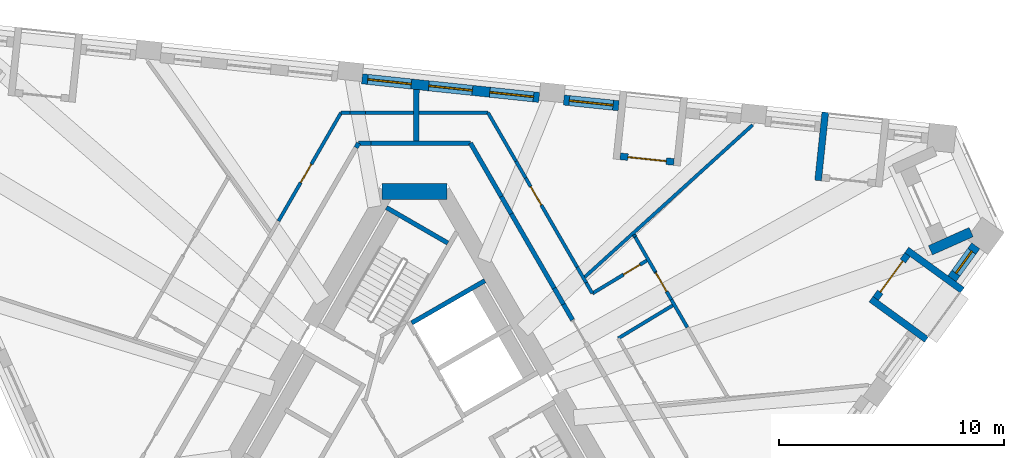
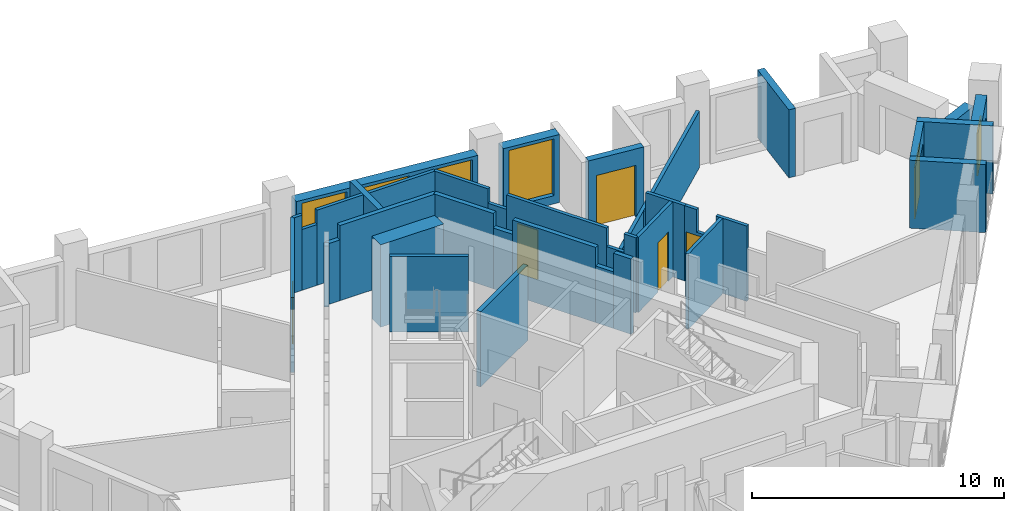
# One storey, part 7 of 11: 37 walls, 6 doors, 5 windows, 11 openings.
"""IFC4 building model written with IfcOpenShell, lengths in metres."""

from ifc_helpers import new_model, si_unit, direction, frame, frame_2d, origin, place, context, subcontext, project, spatial, polyline, rectangle, outline, extrude, material, layer, layer_set, type_object, element, fill, save


model = new_model("IFC4")

# Units and contexts
model_context = context("Model", 3, precision=1e-05, world=origin(), true_north=direction((0.0, 1.0)))
body_context = subcontext(model_context, "Body", "Model", "MODEL_VIEW")
ifc_project = project(units=[si_unit("LENGTHUNIT", "METRE"), si_unit("AREAUNIT", "SQUARE_METRE"), si_unit("VOLUMEUNIT", "CUBIC_METRE"), si_unit("PLANEANGLEUNIT", "RADIAN"), si_unit("MASSUNIT", "GRAM", prefix="KILO")], contexts=[model_context])

# Site, building, storey
site_placement = place(None, origin())
site = spatial("IfcSite", under=ifc_project, at=site_placement, CompositionType="ELEMENT")
building_placement = place(site_placement, origin())
building = spatial("IfcBuilding", under=site, at=building_placement, Name="Tramontana Tower", CompositionType="ELEMENT")
storey_placement = place(building_placement, frame((0.0, 0.0, 241.199951171875)))
storey = spatial("IfcBuildingStorey", under=building, at=storey_placement, Name="L56", CompositionType="ELEMENT", Elevation=241.199951171875)

# Walls
ifc_material_1 = material(Name="Concrete 70 MPa", Category="concrete")
ifc_layer_1 = layer(ifc_material_1, 0.699951171875)
ifc_layer_set_1 = layer_set([ifc_layer_1], Name="Core wall 700 70 MPa")
wall_type_1 = type_object("IfcWallType", Name="Core wall 700 70 MPa", PredefinedType="SHEAR", material=ifc_layer_set_1)
wall_1_placement = place(storey_placement, frame((1.443359375, 10.64990234375, 0.0), z_axis=(0.0, 0.0, 1.0), x_axis=(-1.0, 0.0, 0.0)))
element("IfcWall", 1, at=wall_1_placement, inside=storey, type_object=wall_type_1, Name="Core wall C0 L56", PredefinedType="SHEAR", context=body_context, shape_type="SweptSolid", body=[
    extrude(rectangle(XDim=2.88671875, YDim=0.699951171875, at=frame_2d((1.443359375, 0.0))), origin(), (0.0, 0.0, 1.0), 4.0),
])
ifc_material_2 = material(Name="Blockwork", Category="masonry")
ifc_layer_2 = layer(ifc_material_2, 0.199951171875)
ifc_layer_set_2 = layer_set([ifc_layer_2], Name="ENTRY WALL 200")
wall_type_2 = type_object("IfcWallType", Name="ENTRY WALL 200", PredefinedType="SOLIDWALL", material=ifc_layer_set_2)
wall_2_placement = place(storey_placement, frame((-2.599853515625, 12.596923828125, 0.0), z_axis=(0.0, 0.0, 1.0), x_axis=(0.49972245349, 0.866185586049, 0.0)))
element("IfcWall", 2, at=wall_2_placement, inside=storey, type_object=wall_type_2, Name="Wall v60-ew3-11", PredefinedType="SOLIDWALL", context=body_context, shape_type="SweptSolid", body=[
    extrude(rectangle(XDim=0.234619140625, YDim=0.199951171875, at=frame_2d((0.1171875, 0.0))), origin(), (0.0, 0.0, 1.0), 2.949951171875),
])
wall_3_placement = place(storey_placement, frame((-2.482666015625, 12.800048828125, 0.0), z_axis=(0.0, 0.0, 1.0), x_axis=(1.0, 0.0, 0.0)))
element("IfcWall", 3, at=wall_3_placement, inside=storey, type_object=wall_type_2, Name="Wall v60-ew4-0", PredefinedType="SOLIDWALL", context=body_context, shape_type="SweptSolid", body=[
    extrude(rectangle(XDim=0.5576171875, YDim=0.199951171875, at=frame_2d((0.27880859375, 0.0))), origin(), (0.0, 0.0, 1.0), 2.949951171875),
])
wall_4_placement = place(storey_placement, frame((-1.925048828125, 12.800048828125, 0.0), z_axis=(0.0, 0.0, 1.0), x_axis=(1.0, 0.0, 0.0)))
element("IfcWall", 4, at=wall_4_placement, inside=storey, type_object=wall_type_2, Name="Wall v60-ew4-1", PredefinedType="SOLIDWALL", context=body_context, shape_type="SweptSolid", body=[
    extrude(rectangle(XDim=4.40771484375, YDim=0.199951171875, at=frame_2d((2.203857421875, 0.0))), origin(), (0.0, 0.0, 1.0), 3.650146484375),
])
wall_5_placement = place(storey_placement, frame((2.482666015625, 12.800048828125, 0.0), z_axis=(0.0, 0.0, 1.0), x_axis=(0.499956000529, -0.8660508054, 0.0)))
element("IfcWall", 5, at=wall_5_placement, inside=storey, type_object=wall_type_2, Name="Wall v60-ew5-0", PredefinedType="SOLIDWALL", context=body_context, shape_type="SweptSolid", body=[
    extrude(rectangle(XDim=2.744873046875, YDim=0.199951171875, at=frame_2d((1.37255859375, 0.0))), origin(), (0.0, 0.0, 1.0), 3.650146484375),
])
wall_6_placement = place(storey_placement, frame((3.85498046875, 10.4228515625, 0.0), z_axis=(0.0, 0.0, 1.0), x_axis=(0.500135429527, -0.86594719939, 0.0)))
element("IfcWall", 6, at=wall_6_placement, inside=storey, type_object=wall_type_2, Name="Wall v60-ew5-1", PredefinedType="SOLIDWALL", context=body_context, shape_type="SweptSolid", body=[
    extrude(rectangle(XDim=0.886962890625, YDim=0.199951171875, at=frame_2d((0.443359375, 0.0))), origin(), (0.0, 0.0, 1.0), 2.949951171875),
])
wall_7_placement = place(storey_placement, frame((4.298583984375, 9.65478515625, 0.0), z_axis=(0.0, 0.0, 1.0), x_axis=(0.499997905474, -0.866026613056, 0.0)))
element("IfcWall", 7, at=wall_7_placement, inside=storey, type_object=wall_type_2, Name="Wall v60-ew5-2", PredefinedType="SOLIDWALL", context=body_context, shape_type="SweptSolid", body=[
    extrude(rectangle(XDim=3.810546875, YDim=0.199951171875, at=frame_2d((1.9052734375, 0.0))), origin(), (0.0, 0.0, 1.0), 3.650146484375),
])
wall_8_placement = place(storey_placement, frame((6.203857421875, 6.354736328125, 0.0), z_axis=(0.0, 0.0, 1.0), x_axis=(0.499911126926, -0.866076708598, 0.0)))
element("IfcWall", 8, at=wall_8_placement, inside=storey, type_object=wall_type_2, Name="Wall v60-ew5-3", PredefinedType="SOLIDWALL", context=body_context, shape_type="SweptSolid", body=[
    extrude(rectangle(XDim=0.821533203125, YDim=0.199951171875, at=frame_2d((0.41064453125, 0.0))), origin(), (0.0, 0.0, 1.0), 2.75),
])
wall_9_placement = place(storey_placement, frame((6.614501953125, 5.643310546875, 0.0), z_axis=(0.0, 0.0, 1.0), x_axis=(0.499984757355, -0.866034203951, 0.0)))
element("IfcWall", 9, at=wall_9_placement, inside=storey, type_object=wall_type_2, Name="Wall v60-ew5-4", PredefinedType="SOLIDWALL", context=body_context, shape_type="SweptSolid", body=[
    extrude(rectangle(XDim=0.8056640625, YDim=0.199951171875, at=frame_2d((0.40283203125, 0.0))), origin(), (0.0, 0.0, 1.0), 3.650146484375),
])

# Wall, opening, window
ifc_material_3 = material(Name="Precast concrete 60 MPa", Category="concrete")
ifc_layer_3 = layer(ifc_material_3, 0.449951171875)
ifc_layer_set_3 = layer_set([ifc_layer_3], Name="Precast concrete 60 MPa, 450 mm")
wall_type_3 = type_object("IfcWallType", Name="EW1 Stone-faced precast wall 450", PredefinedType="SOLIDWALL", material=ifc_layer_set_3)
wall_10_placement = place(storey_placement, frame((23.868408203125, 6.77978515625, 0.0), z_axis=(0.0, 0.0, 1.0), x_axis=(0.587793056764, 0.809011324037, 0.0)))
wall_10 = element("IfcWall", 10, at=wall_10_placement, inside=storey, type_object=wall_type_3, Name="External wall L56 face 1 bay 5", PredefinedType="SOLIDWALL", context=body_context, shape_type="SweptSolid", body=[
    extrude(rectangle(XDim=1.80224609375, YDim=0.449951171875, at=frame_2d((0.901123046875, 0.0))), origin(), (0.0, 0.0, 1.0), 3.300048828125),
])
opening_1_placement = place(wall_10_placement, frame((0.301025390625, 0.0, 0.39990234375)))
opening_1 = element("IfcOpeningElement", 11, at=opening_1_placement, cuts=wall_10, Name="Opening N3L", PredefinedType="OPENING", context=body_context, shape_type="SweptSolid", body=[
    extrude(rectangle(XDim=1.199951171875, YDim=2.10009765625, at=frame_2d((0.60009765625, 1.050048828125))), frame((0.0, 0.23486328125, 0.0), z_axis=(0.0, -1.0, 0.0), x_axis=(1.0, 0.0, 0.0)), (0.0, 0.0, 1.0), 0.469970703125),
])
ifc_material_4 = material(Name="Aluminum frame, double glazing unit", Category="aluminium")
window_type_1 = type_object("IfcWindowType", Name="N3L Window 1.2 x 2.1", PartitioningType="SINGLE_PANEL", PredefinedType="WINDOW", material=ifc_material_4)
window_1_placement = place(opening_1_placement, origin())
window_1 = element("IfcWindow", 12, at=window_1_placement, inside=storey, type_object=window_type_1, Name="Window N3L L56 face 1 module 15", OverallHeight=2.10009765625, OverallWidth=1.199951171875, PartitioningType="SINGLE_PANEL", PredefinedType="WINDOW", context=body_context, shape_type="SweptSolid", body=[
    extrude(rectangle(XDim=1.199951171875, YDim=2.10009765625, at=frame_2d((0.60009765625, 1.050048828125))), frame((0.0, 0.030029296875, 0.0), z_axis=(0.0, -1.0, 0.0), x_axis=(1.0, 0.0, 0.0)), (0.0, 0.0, 1.0), 0.06005859375),
])
fill(opening_1, window_1)

wall_11_placement = place(storey_placement, frame((9.06640625, 14.45654296875, 0.0), z_axis=(0.0, 0.0, 1.0), x_axis=(-0.994521805438, 0.10452931889, 0.0)))
wall_11 = element("IfcWall", 13, at=wall_11_placement, inside=storey, type_object=wall_type_3, Name="External wall L56 face 2 bay 2", PredefinedType="SOLIDWALL", context=body_context, shape_type="SweptSolid", body=[
    extrude(rectangle(XDim=2.452392578125, YDim=0.449951171875, at=frame_2d((1.22607421875, 0.0))), origin(), (0.0, 0.0, 1.0), 3.300048828125),
])
opening_2_placement = place(wall_11_placement, frame((0.251220703125, 0.0, 0.39990234375)))
opening_2 = element("IfcOpeningElement", 14, at=opening_2_placement, cuts=wall_11, Name="Opening M3", PredefinedType="OPENING", context=body_context, shape_type="SweptSolid", body=[
    extrude(rectangle(XDim=1.949951171875, YDim=2.75, at=frame_2d((0.97509765625, 1.375))), frame((0.0, 0.23486328125, 0.0), z_axis=(0.0, -1.0, 0.0), x_axis=(1.0, 0.0, 0.0)), (0.0, 0.0, 1.0), 0.469970703125),
])
ifc_material_5 = material(Name="Aluminum frame, double glazing unit", Category="aluminium")
window_type_2 = type_object("IfcWindowType", Name="M3 Window 1.95 x 2.75", PartitioningType="SINGLE_PANEL", PredefinedType="WINDOW", material=ifc_material_5)
window_2_placement = place(opening_2_placement, origin())
window_2 = element("IfcWindow", 15, at=window_2_placement, inside=storey, type_object=window_type_2, Name="Window M3 L56 face 2 module 6", OverallHeight=2.75, OverallWidth=1.949951171875, PartitioningType="SINGLE_PANEL", PredefinedType="WINDOW", context=body_context, shape_type="SweptSolid", body=[
    extrude(rectangle(XDim=1.949951171875, YDim=2.75, at=frame_2d((0.97509765625, 1.375))), frame((0.0, 0.030029296875, 0.0), z_axis=(0.0, -1.0, 0.0), x_axis=(1.0, 0.0, 0.0)), (0.0, 0.0, 1.0), 0.06005859375),
])
fill(opening_2, window_2)

# Wall, openings, windows
wall_12_placement = place(storey_placement, frame((5.53369140625, 14.827880859375, 0.0), z_axis=(0.0, 0.0, 1.0), x_axis=(-0.994522865711, 0.104519230663, 0.0)))
wall_12 = element("IfcWall", 16, at=wall_12_placement, inside=storey, type_object=wall_type_3, Name="External wall L56 face 2 bay 3", PredefinedType="SOLIDWALL", context=body_context, shape_type="SweptSolid", body=[
    extrude(rectangle(XDim=7.90673828125, YDim=0.449951171875, at=frame_2d((3.953369140625, 0.0))), origin(), (0.0, 0.0, 1.0), 3.300048828125),
])
opening_3_placement = place(wall_12_placement, frame((0.251220703125, 0.0, 0.39990234375)))
opening_3 = element("IfcOpeningElement", 17, at=opening_3_placement, cuts=wall_12, Name="Opening M3", PredefinedType="OPENING", context=body_context, shape_type="SweptSolid", body=[
    extrude(rectangle(XDim=1.949951171875, YDim=2.75, at=frame_2d((0.97509765625, 1.375))), frame((0.0, 0.23486328125, 0.0), z_axis=(0.0, -1.0, 0.0), x_axis=(1.0, 0.0, 0.0)), (0.0, 0.0, 1.0), 0.469970703125),
])
opening_4_placement = place(wall_12_placement, frame((2.978271484375, 0.0, 0.39990234375)))
opening_4 = element("IfcOpeningElement", 18, at=opening_4_placement, cuts=wall_12, Name="Opening M3", PredefinedType="OPENING", context=body_context, shape_type="SweptSolid", body=[
    extrude(rectangle(XDim=1.949951171875, YDim=2.75, at=frame_2d((0.97509765625, 1.375))), frame((0.0, 0.23486328125, 0.0), z_axis=(0.0, -1.0, 0.0), x_axis=(1.0, 0.0, 0.0)), (0.0, 0.0, 1.0), 0.469970703125),
])
opening_5_placement = place(wall_12_placement, frame((5.70556640625, 0.0, 0.39990234375)))
opening_5 = element("IfcOpeningElement", 19, at=opening_5_placement, cuts=wall_12, Name="Opening M3", PredefinedType="OPENING", context=body_context, shape_type="SweptSolid", body=[
    extrude(rectangle(XDim=1.949951171875, YDim=2.75, at=frame_2d((0.97509765625, 1.375))), frame((0.0, 0.23486328125, 0.0), z_axis=(0.0, -1.0, 0.0), x_axis=(1.0, 0.0, 0.0)), (0.0, 0.0, 1.0), 0.469970703125),
])
window_3_placement = place(opening_3_placement, origin())
window_3 = element("IfcWindow", 20, at=window_3_placement, inside=storey, type_object=window_type_2, Name="Window M3 L56 face 2 module 7", OverallHeight=2.75, OverallWidth=1.949951171875, PartitioningType="SINGLE_PANEL", PredefinedType="WINDOW", context=body_context, shape_type="SweptSolid", body=[
    extrude(rectangle(XDim=1.949951171875, YDim=2.75, at=frame_2d((0.97509765625, 1.375))), frame((0.0, 0.030029296875, 0.0), z_axis=(0.0, -1.0, 0.0), x_axis=(1.0, 0.0, 0.0)), (0.0, 0.0, 1.0), 0.06005859375),
])
fill(opening_3, window_3)
window_4_placement = place(opening_4_placement, origin())
window_4 = element("IfcWindow", 21, at=window_4_placement, inside=storey, type_object=window_type_2, Name="Window M3 L56 face 2 module 8", OverallHeight=2.75, OverallWidth=1.949951171875, PartitioningType="SINGLE_PANEL", PredefinedType="WINDOW", context=body_context, shape_type="SweptSolid", body=[
    extrude(rectangle(XDim=1.949951171875, YDim=2.75, at=frame_2d((0.97509765625, 1.375))), frame((0.0, 0.030029296875, 0.0), z_axis=(0.0, -1.0, 0.0), x_axis=(1.0, 0.0, 0.0)), (0.0, 0.0, 1.0), 0.06005859375),
])
fill(opening_4, window_4)
window_5_placement = place(opening_5_placement, origin())
window_5 = element("IfcWindow", 22, at=window_5_placement, inside=storey, type_object=window_type_2, Name="Window M3 L56 face 2 module 9", OverallHeight=2.75, OverallWidth=1.949951171875, PartitioningType="SINGLE_PANEL", PredefinedType="WINDOW", context=body_context, shape_type="SweptSolid", body=[
    extrude(rectangle(XDim=1.949951171875, YDim=2.75, at=frame_2d((0.97509765625, 1.375))), frame((0.0, 0.030029296875, 0.0), z_axis=(0.0, -1.0, 0.0), x_axis=(1.0, 0.0, 0.0)), (0.0, 0.0, 1.0), 0.06005859375),
])
fill(opening_5, window_5)

# Wall
wall_13_placement = place(storey_placement, frame((24.71923828125, 8.84375, 0.0), z_axis=(0.0, 0.0, 1.0), x_axis=(-0.913562124494, -0.406699206651, 0.0)))
element("IfcWall", 23, at=wall_13_placement, inside=storey, type_object=wall_type_3, Name="Corner loggia side wall L56 K62r", PredefinedType="SOLIDWALL", context=body_context, shape_type="SweptSolid", body=[
    extrude(rectangle(XDim=1.979248046875, YDim=0.449951171875, at=frame_2d((0.98974609375, 0.0))), origin(), (0.0, 0.0, 1.0), 2.550048828125),
])

# Wall, opening, door
ifc_material_6 = material(Name="Precast concrete 60 MPa", Category="concrete")
ifc_layer_4 = layer(ifc_material_6, 0.300048828125)
ifc_layer_set_4 = layer_set([ifc_layer_4], Name="LW1 Stone-faced loggia wall 300")
wall_type_4 = type_object("IfcWallType", Name="LW1 Stone-faced loggia wall 300", PredefinedType="SOLIDWALL", material=ifc_layer_set_4)
wall_14_placement = place(storey_placement, frame((20.47998046875, 5.9013671875, 0.0), z_axis=(0.0, 0.0, 1.0), x_axis=(0.587833242688, 0.808982125137, 0.0)))
wall_14 = element("IfcWall", 24, at=wall_14_placement, inside=storey, type_object=wall_type_4, Name="Loggia wall L56 G6S1.13", PredefinedType="SOLIDWALL", context=body_context, shape_type="SweptSolid", body=[
    extrude(rectangle(XDim=2.40234375, YDim=0.300048828125, at=frame_2d((1.201171875, 0.0))), origin(), (0.0, 0.0, 1.0), 3.300048828125),
])
opening_6_placement = place(wall_14_placement, frame((0.35107421875, 0.0, 0.0)))
opening_6 = element("IfcOpeningElement", 25, at=opening_6_placement, cuts=wall_14, Name="Opening BD-6S1-13", PredefinedType="OPENING", context=body_context, shape_type="SweptSolid", body=[
    extrude(rectangle(XDim=1.699951171875, YDim=2.5, at=frame_2d((0.85009765625, 1.25))), frame((0.0, 0.159912109375, 0.0), z_axis=(0.0, -1.0, 0.0), x_axis=(1.0, 0.0, 0.0)), (0.0, 0.0, 1.0), 0.320068359375),
])
ifc_material_7 = material(Name="Aluminum frame, double glazing unit", Category="aluminium")
door_type_1 = type_object("IfcDoorType", Name="BD3 Sliding door 1.7 x 2.5", OperationType="SLIDING_TO_LEFT", PredefinedType="DOOR", material=ifc_material_7)
door_1_placement = place(opening_6_placement, origin())
door_1 = element("IfcDoor", 26, at=door_1_placement, inside=storey, type_object=door_type_1, Name="Loggia door L56 G6S1.13", OperationType="SLIDING_TO_LEFT", OverallHeight=2.5, OverallWidth=1.699951171875, PredefinedType="DOOR", context=body_context, shape_type="SweptSolid", body=[
    extrude(rectangle(XDim=1.699951171875, YDim=2.5, at=frame_2d((0.85009765625, 1.25))), frame((0.0, 0.02490234375, 0.0), z_axis=(0.0, -1.0, 0.0), x_axis=(1.0, 0.0, 0.0)), (0.0, 0.0, 1.0), 0.050048828125),
])
fill(opening_6, door_1)

# Walls
for number, where, z_axis, x_axis, name in (
    (27, (22.738037109375, 4.075439453125, 0.0), (0.0, 0.0, 1.0), (-0.80902328748, 0.587776590479, 0.0), "Loggia return L56 G6S1.13a"),
    (28, (24.326416015625, 6.261474609375, 0.0), (0.0, 0.0, 1.0), (-0.808985223782, 0.587828978278, 0.0), "Loggia return L56 G6S1.13b"),
):
    element("IfcWall", number, at=place(storey_placement, frame(where, z_axis=z_axis, x_axis=x_axis)), inside=storey, type_object=wall_type_4, Name=name, PredefinedType="SOLIDWALL", context=body_context, shape_type="SweptSolid", body=[
        extrude(rectangle(XDim=3.050048828125, YDim=0.300048828125, at=frame_2d((1.52490234375, 0.0))), origin(), (0.0, 0.0, 1.0), 3.300048828125),
    ])
wall_15_placement = place(storey_placement, frame((18.243408203125, 14.170654296875, 0.0), z_axis=(0.0, 0.0, 1.0), x_axis=(-0.104543108891, -0.994520355942, 0.0)))
element("IfcWall", 29, at=wall_15_placement, inside=storey, type_object=wall_type_4, Name="Loggia return L56 G6S2.1b", PredefinedType="SOLIDWALL", context=body_context, shape_type="SweptSolid", body=[
    extrude(rectangle(XDim=3.0498046875, YDim=0.300048828125, at=frame_2d((1.52490234375, 0.0))), origin(), (0.0, 0.0, 1.0), 3.300048828125),
])

# Wall, opening, door
wall_16_placement = place(storey_placement, frame((11.521240234375, 11.961181640625, 0.0), z_axis=(0.0, 0.0, 1.0), x_axis=(-0.994517140727, 0.104573690763, 0.0)))
wall_16 = element("IfcWall", 30, at=wall_16_placement, inside=storey, type_object=wall_type_4, Name="Loggia wall L56 G6S2.4", PredefinedType="SOLIDWALL", context=body_context, shape_type="SweptSolid", body=[
    extrude(rectangle(XDim=2.40234375, YDim=0.300048828125, at=frame_2d((1.201171875, 0.0))), origin(), (0.0, 0.0, 1.0), 3.300048828125),
])
opening_7_placement = place(wall_16_placement, frame((0.35107421875, 0.0, 0.0)))
opening_7 = element("IfcOpeningElement", 31, at=opening_7_placement, cuts=wall_16, Name="Opening BD-6S2-04", PredefinedType="OPENING", context=body_context, shape_type="SweptSolid", body=[
    extrude(rectangle(XDim=1.699951171875, YDim=2.5, at=frame_2d((0.85009765625, 1.25))), frame((0.0, 0.159912109375, 0.0), z_axis=(0.0, -1.0, 0.0), x_axis=(1.0, 0.0, 0.0)), (0.0, 0.0, 1.0), 0.320068359375),
])
door_2_placement = place(opening_7_placement, origin())
door_2 = element("IfcDoor", 32, at=door_2_placement, inside=storey, type_object=door_type_1, Name="Loggia door L56 G6S2.4", OperationType="SLIDING_TO_LEFT", OverallHeight=2.5, OverallWidth=1.699951171875, PredefinedType="DOOR", context=body_context, shape_type="SweptSolid", body=[
    extrude(rectangle(XDim=1.699951171875, YDim=2.5, at=frame_2d((0.85009765625, 1.25))), frame((0.0, 0.02490234375, 0.0), z_axis=(0.0, -1.0, 0.0), x_axis=(1.0, 0.0, 0.0)), (0.0, 0.0, 1.0), 0.050048828125),
])
fill(opening_7, door_2)

ifc_material_8 = material(Name="Gypsum board partition")
ifc_layer_5 = layer(ifc_material_8, 0.14990234375)
ifc_layer_set_5 = layer_set([ifc_layer_5], Name="PARTITION 150")
wall_type_5 = type_object("IfcWallType", Name="PARTITION 150", PredefinedType="PARTITIONING", material=ifc_layer_set_5)
wall_17_placement = place(storey_placement, frame((-6.040283203125, 9.337890625, 0.0), z_axis=(0.0, 0.0, 1.0), x_axis=(0.500014044516, 0.866017295027, 0.0)))
wall_17 = element("IfcWall", 33, at=wall_17_placement, inside=storey, type_object=wall_type_5, Name="Wall v60-pw00-10", PredefinedType="PARTITIONING", context=body_context, shape_type="SweptSolid", body=[
    extrude(rectangle(XDim=5.556396484375, YDim=0.14990234375, at=frame_2d((2.7783203125, 0.0))), origin(), (0.0, 0.0, 1.0), 3.650146484375),
])
opening_8_placement = place(wall_17_placement, frame((1.970947265625, 0.0, 0.0)))
opening_8 = element("IfcOpeningElement", 34, at=opening_8_placement, cuts=wall_17, Name="Opening B6A-02", PredefinedType="OPENING", context=body_context, shape_type="SweptSolid", body=[
    extrude(rectangle(XDim=0.949951171875, YDim=2.39990234375, at=frame_2d((0.47509765625, 1.199951171875))), frame((0.0, 0.0849609375, 0.0), z_axis=(0.0, -1.0, 0.0), x_axis=(1.0, 0.0, 0.0)), (0.0, 0.0, 1.0), 0.169921875),
])
ifc_material_9 = material(Name="Painted timber", Category="wood")
door_type_2 = type_object("IfcDoorType", Name="DOOR ROOM 950", OperationType="SINGLE_SWING_LEFT", PredefinedType="DOOR", material=ifc_material_9)
door_3_placement = place(opening_8_placement, origin())
door_3 = element("IfcDoor", 35, at=door_3_placement, inside=storey, type_object=door_type_2, Name="Door B6A-02", OperationType="SINGLE_SWING_RIGHT", OverallHeight=2.39990234375, OverallWidth=0.949951171875, PredefinedType="DOOR", context=body_context, shape_type="SweptSolid", body=[
    extrude(rectangle(XDim=0.949951171875, YDim=2.39990234375, at=frame_2d((0.47509765625, 1.199951171875))), frame((0.0, 0.02490234375, 0.0), z_axis=(0.0, -1.0, 0.0), x_axis=(1.0, 0.0, 0.0)), (0.0, 0.0, 1.0), 0.050048828125),
])
fill(opening_8, door_3)

# Walls
wall_18_placement = place(storey_placement, frame((-3.261962890625, 14.14990234375, 0.0), z_axis=(0.0, 0.0, 1.0), x_axis=(1.0, 0.0, 0.0)))
element("IfcWall", 36, at=wall_18_placement, inside=storey, type_object=wall_type_5, Name="Wall v60-pw08-0", PredefinedType="PARTITIONING", context=body_context, shape_type="SweptSolid", body=[
    extrude(rectangle(XDim=0.398193359375, YDim=0.14990234375, at=frame_2d((0.19921875, 0.0))), origin(), (0.0, 0.0, 1.0), 3.650146484375),
])
wall_19_placement = place(storey_placement, frame((-2.86376953125, 14.14990234375, 0.0), z_axis=(0.0, 0.0, 1.0), x_axis=(1.0, 0.0, 0.0)))
element("IfcWall", 37, at=wall_19_placement, inside=storey, type_object=wall_type_5, Name="Wall v60-pw08-1", PredefinedType="PARTITIONING", context=body_context, shape_type="SweptSolid", body=[
    extrude(rectangle(XDim=0.685546875, YDim=0.14990234375, at=frame_2d((0.3427734375, 0.0))), origin(), (0.0, 0.0, 1.0), 2.949951171875),
])
wall_20_placement = place(storey_placement, frame((-2.17822265625, 14.14990234375, 0.0), z_axis=(0.0, 0.0, 1.0), x_axis=(1.0, 0.0, 0.0)))
element("IfcWall", 38, at=wall_20_placement, inside=storey, type_object=wall_type_5, Name="Wall v60-pw08-2", PredefinedType="PARTITIONING", context=body_context, shape_type="SweptSolid", body=[
    extrude(rectangle(XDim=5.440185546875, YDim=0.14990234375, at=frame_2d((2.72021484375, 0.0))), origin(), (0.0, 0.0, 1.0), 3.650146484375),
])
wall_21_placement = place(storey_placement, frame((3.261962890625, 14.14990234375, 0.0), z_axis=(0.0, 0.0, 1.0), x_axis=(0.500042260233, -0.866001003452, 0.0)))
element("IfcWall", 39, at=wall_21_placement, inside=storey, type_object=wall_type_5, Name="Wall v60-pw15-0", PredefinedType="PARTITIONING", context=body_context, shape_type="SweptSolid", body=[
    extrude(rectangle(XDim=2.489013671875, YDim=0.14990234375, at=frame_2d((1.24462890625, 0.0))), origin(), (0.0, 0.0, 1.0), 3.650146484375),
])
wall_22_placement = place(storey_placement, frame((4.506591796875, 11.994384765625, 0.0), z_axis=(0.0, 0.0, 1.0), x_axis=(0.499944768143, -0.866057289563, 0.0)))
element("IfcWall", 40, at=wall_22_placement, inside=storey, type_object=wall_type_5, Name="Wall v60-pw15-1", PredefinedType="PARTITIONING", context=body_context, shape_type="SweptSolid", body=[
    extrude(rectangle(XDim=0.85546875, YDim=0.14990234375, at=frame_2d((0.427734375, 0.0))), origin(), (0.0, 0.0, 1.0), 2.949951171875),
])

# Wall, opening, door
wall_23_placement = place(storey_placement, frame((4.934326171875, 11.25341796875, 0.0), z_axis=(0.0, 0.0, 1.0), x_axis=(0.500001111708, -0.866024761939, 0.0)))
wall_23 = element("IfcWall", 41, at=wall_23_placement, inside=storey, type_object=wall_type_5, Name="Wall v60-pw15-2", PredefinedType="PARTITIONING", context=body_context, shape_type="SweptSolid", body=[
    extrude(rectangle(XDim=4.57568359375, YDim=0.14990234375, at=frame_2d((2.287841796875, 0.0))), origin(), (0.0, 0.0, 1.0), 3.650146484375),
])
opening_9_placement = place(wall_23_placement, frame((0.445068359375, 0.0, 0.0)))
opening_9 = element("IfcOpeningElement", 42, at=opening_9_placement, cuts=wall_23, Name="Opening B6A-14", PredefinedType="OPENING", context=body_context, shape_type="SweptSolid", body=[
    extrude(rectangle(XDim=0.949951171875, YDim=2.39990234375, at=frame_2d((0.47509765625, 1.199951171875))), frame((0.0, 0.0849609375, 0.0), z_axis=(0.0, -1.0, 0.0), x_axis=(1.0, 0.0, 0.0)), (0.0, 0.0, 1.0), 0.169921875),
])
door_4_placement = place(opening_9_placement, origin())
door_4 = element("IfcDoor", 43, at=door_4_placement, inside=storey, type_object=door_type_2, Name="Door B6A-14", OperationType="SINGLE_SWING_RIGHT", OverallHeight=2.39990234375, OverallWidth=0.949951171875, PredefinedType="DOOR", context=body_context, shape_type="SweptSolid", body=[
    extrude(rectangle(XDim=0.949951171875, YDim=2.39990234375, at=frame_2d((0.47509765625, 1.199951171875))), frame((0.0, 0.02490234375, 0.0), z_axis=(0.0, -1.0, 0.0), x_axis=(1.0, 0.0, 0.0)), (0.0, 0.0, 1.0), 0.050048828125),
])
fill(opening_9, door_4)

# Walls
wall_24_placement = place(storey_placement, frame((7.22216796875, 7.290771484375, 0.0), z_axis=(0.0, 0.0, 1.0), x_axis=(0.500032254052, -0.866006781098, 0.0)))
element("IfcWall", 44, at=wall_24_placement, inside=storey, type_object=wall_type_5, Name="Wall v60-pw15-3", PredefinedType="PARTITIONING", context=body_context, shape_type="SweptSolid", body=[
    extrude(rectangle(XDim=0.7958984375, YDim=0.14990234375, at=frame_2d((0.39794921875, 0.0))), origin(), (0.0, 0.0, 1.0), 2.75),
])
wall_25_placement = place(storey_placement, frame((7.6201171875, 6.6015625, 0.0), z_axis=(0.0, 0.0, 1.0), x_axis=(0.500093091412, -0.865971650761, 0.0)))
element("IfcWall", 45, at=wall_25_placement, inside=storey, type_object=wall_type_5, Name="Wall v60-pw15-4", PredefinedType="PARTITIONING", context=body_context, shape_type="SweptSolid", body=[
    extrude(rectangle(XDim=0.55126953125, YDim=0.14990234375, at=frame_2d((0.275634765625, 0.0))), origin(), (0.0, 0.0, 1.0), 3.650146484375),
])
wall_26_placement = place(storey_placement, frame((7.56201171875, 6.852294921875, 0.0), z_axis=(0.0, 0.0, 1.0), x_axis=(0.741038665238, 0.671462356817, 0.0)))
element("IfcWall", 46, at=wall_26_placement, inside=storey, type_object=wall_type_5, Name="Wall v60-pw16-0", PredefinedType="PARTITIONING", context=body_context, shape_type="SweptSolid", body=[
    extrude(rectangle(XDim=10.056640625, YDim=0.14990234375, at=frame_2d((5.0283203125, 0.0))), origin(), (0.0, 0.0, 1.0), 2.75),
])

# Wall, opening, door
wall_27_placement = place(storey_placement, frame((7.901123046875, 6.123046875, 0.0), z_axis=(0.0, 0.0, 1.0), x_axis=(0.855708816302, 0.517457652087, 0.0)))
wall_27 = element("IfcWall", 47, at=wall_27_placement, inside=storey, type_object=wall_type_5, Name="Wall v60-pw17", PredefinedType="PARTITIONING", context=body_context, shape_type="SweptSolid", body=[
    extrude(rectangle(XDim=2.821533203125, YDim=0.14990234375, at=frame_2d((1.41064453125, 0.0))), origin(), (0.0, 0.0, 1.0), 3.650146484375),
])
opening_10_placement = place(wall_27_placement, frame((1.6201171875, 0.0, 0.0)))
opening_10 = element("IfcOpeningElement", 48, at=opening_10_placement, cuts=wall_27, Name="Opening B6A-11", PredefinedType="OPENING", context=body_context, shape_type="SweptSolid", body=[
    extrude(rectangle(XDim=0.85009765625, YDim=2.39990234375, at=frame_2d((0.425048828125, 1.199951171875))), frame((0.0, 0.0849609375, 0.0), z_axis=(0.0, -1.0, 0.0), x_axis=(1.0, 0.0, 0.0)), (0.0, 0.0, 1.0), 0.169921875),
])
ifc_material_10 = material(Name="Painted timber", Category="wood")
door_type_3 = type_object("IfcDoorType", Name="DOOR BATH 850", OperationType="SINGLE_SWING_LEFT", PredefinedType="DOOR", material=ifc_material_10)
door_5_placement = place(opening_10_placement, origin())
door_5 = element("IfcDoor", 49, at=door_5_placement, inside=storey, type_object=door_type_3, Name="Door B6A-11", OperationType="SINGLE_SWING_LEFT", OverallHeight=2.39990234375, OverallWidth=0.85009765625, PredefinedType="DOOR", context=body_context, shape_type="SweptSolid", body=[
    extrude(rectangle(XDim=0.85009765625, YDim=2.39990234375, at=frame_2d((0.425048828125, 1.199951171875))), frame((0.0, 0.02490234375, 0.0), z_axis=(0.0, -1.0, 0.0), x_axis=(1.0, 0.0, 0.0)), (0.0, 0.0, 1.0), 0.050048828125),
])
fill(opening_10, door_5)

# Walls
wall_28_placement = place(storey_placement, frame((9.741943359375, 8.726318359375, 0.0), z_axis=(0.0, 0.0, 1.0), x_axis=(0.500943559977, -0.865479953388, 0.0)))
element("IfcWall", 50, at=wall_28_placement, inside=storey, type_object=wall_type_5, Name="Wall v60-pw19-0", PredefinedType="PARTITIONING", context=body_context, shape_type="SweptSolid", body=[
    extrude(rectangle(XDim=0.103759765625, YDim=0.14990234375, at=frame_2d((0.0517578125, 0.0))), origin(), (0.0, 0.0, 1.0), 2.75),
])
wall_29_placement = place(storey_placement, frame((9.7939453125, 8.636474609375, 0.0), z_axis=(0.0, 0.0, 1.0), x_axis=(0.499953802258, -0.86605207442, 0.0)))
element("IfcWall", 51, at=wall_29_placement, inside=storey, type_object=wall_type_5, Name="Wall v60-pw19-1", PredefinedType="PARTITIONING", context=body_context, shape_type="SweptSolid", body=[
    extrude(rectangle(XDim=1.796630859375, YDim=0.14990234375, at=frame_2d((0.8984375, 0.0))), origin(), (0.0, 0.0, 1.0), 3.650146484375),
])

# Wall, opening, door
wall_30_placement = place(storey_placement, frame((10.692138671875, 7.08056640625, 0.0), z_axis=(0.0, 0.0, 1.0), x_axis=(0.499969479948, -0.866043023828, 0.0)))
wall_30 = element("IfcWall", 52, at=wall_30_placement, inside=storey, type_object=wall_type_5, Name="Wall v60-pw19-2", PredefinedType="PARTITIONING", context=body_context, shape_type="SweptSolid", body=[
    extrude(outline(polyline([(0.0, 0.0), (1.42578125, 0.0), (1.42578125, 2.550048828125), (0.550537109375, 2.550048828125), (0.550537109375, 3.650146484375), (0.0, 3.650146484375), (0.0, 0.0)])), frame((0.0, 0.074951171875, 0.0), z_axis=(0.0, -1.0, 0.0), x_axis=(1.0, 0.0, 0.0)), (0.0, 0.0, 1.0), 0.14990234375),
])
opening_11_placement = place(wall_30_placement, frame((0.050048828125, 0.0, 0.0)))
opening_11 = element("IfcOpeningElement", 53, at=opening_11_placement, cuts=wall_30, Name="Opening B6A-12", PredefinedType="OPENING", context=body_context, shape_type="SweptSolid", body=[
    extrude(rectangle(XDim=0.949951171875, YDim=2.39990234375, at=frame_2d((0.47509765625, 1.199951171875))), frame((0.0, 0.0849609375, 0.0), z_axis=(0.0, -1.0, 0.0), x_axis=(1.0, 0.0, 0.0)), (0.0, 0.0, 1.0), 0.169921875),
])
door_6_placement = place(opening_11_placement, origin())
door_6 = element("IfcDoor", 54, at=door_6_placement, inside=storey, type_object=door_type_2, Name="Door B6A-12", OperationType="SINGLE_SWING_RIGHT", OverallHeight=2.39990234375, OverallWidth=0.949951171875, PredefinedType="DOOR", context=body_context, shape_type="SweptSolid", body=[
    extrude(rectangle(XDim=0.949951171875, YDim=2.39990234375, at=frame_2d((0.47509765625, 1.199951171875))), frame((0.0, 0.02490234375, 0.0), z_axis=(0.0, -1.0, 0.0), x_axis=(1.0, 0.0, 0.0)), (0.0, 0.0, 1.0), 0.050048828125),
])
fill(opening_11, door_6)

# Walls
wall_31_placement = place(storey_placement, frame((11.405029296875, 5.845703125, 0.0), z_axis=(0.0, 0.0, 1.0), x_axis=(0.500103350459, -0.865965726146, 0.0)))
element("IfcWall", 55, at=wall_31_placement, inside=storey, type_object=wall_type_5, Name="Wall v60-pw19-3", PredefinedType="PARTITIONING", context=body_context, shape_type="SweptSolid", body=[
    extrude(rectangle(XDim=1.424072265625, YDim=0.14990234375, at=frame_2d((0.7119140625, 0.0))), origin(), (0.0, 0.0, 1.0), 3.650146484375),
])
wall_32_placement = place(storey_placement, frame((11.465576171875, 5.5908203125, 0.0), z_axis=(0.0, 0.0, 1.0), x_axis=(-0.855670500176, -0.517521009359, 0.0)))
element("IfcWall", 56, at=wall_32_placement, inside=storey, type_object=wall_type_5, Name="Wall v60-pw24", PredefinedType="PARTITIONING", context=body_context, shape_type="SweptSolid", body=[
    extrude(rectangle(XDim=2.821533203125, YDim=0.14990234375, at=frame_2d((1.41064453125, 0.0))), origin(), (0.0, 0.0, 1.0), 3.650146484375),
])
ifc_material_11 = material(Name="Blockwork", Category="masonry")
ifc_layer_6 = layer(ifc_material_11, 0.25)
ifc_layer_set_6 = layer_set([ifc_layer_6], Name="PARTY WALL 250")
wall_type_6 = type_object("IfcWallType", Name="PARTY WALL 250", PredefinedType="SOLIDWALL", material=ifc_layer_set_6)
wall_33_placement = place(storey_placement, frame((0.08544921875, 15.174072265625, 0.0), z_axis=(0.0, 0.0, 1.0), x_axis=(-0.005582307008, -0.999984418803, 0.0)))
element("IfcWall", 57, at=wall_33_placement, inside=storey, type_object=wall_type_6, Name="Wall v60-pw11", PredefinedType="SOLIDWALL", context=body_context, shape_type="SweptSolid", body=[
    extrude(rectangle(XDim=2.274169921875, YDim=0.25, at=frame_2d((1.13720703125, 0.0))), origin(), (0.0, 0.0, 1.0), 3.650146484375),
])
ifc_material_12 = material(Name="Concrete 70 MPa", Category="concrete")
ifc_layer_7 = layer(ifc_material_12, 0.199951171875)
ifc_layer_set_7 = layer_set([ifc_layer_7], Name="Concrete 70 MPa, 200 mm")
wall_type_7 = type_object("IfcWallType", Name="RC STAIR AND SHAFT WALL 200", PredefinedType="SOLIDWALL", material=ifc_layer_set_7)
wall_34_placement = place(storey_placement, frame((1.478515625, 8.36083984375, 0.0), z_axis=(0.0, 0.0, 1.0), x_axis=(-0.866035871367, 0.499981869177, 0.0)))
element("IfcWall", 58, at=wall_34_placement, inside=storey, type_object=wall_type_7, Name="Wall st1-far", PredefinedType="SOLIDWALL", context=body_context, shape_type="SweptSolid", body=[
    extrude(rectangle(XDim=3.14990234375, YDim=0.199951171875, at=frame_2d((1.574951171875, 0.0))), origin(), (0.0, 0.0, 1.0), 3.650146484375),
])
wall_35_placement = place(storey_placement, frame((-0.123046875, 4.813232421875, 0.0), z_axis=(0.0, 0.0, 1.0), x_axis=(0.866022959057, 0.500004234368, 0.0)))
element("IfcWall", 59, at=wall_35_placement, inside=storey, type_object=wall_type_7, Name="Wall row2-side2", PredefinedType="SOLIDWALL", context=body_context, shape_type="SweptSolid", body=[
    extrude(rectangle(XDim=3.75, YDim=0.199951171875, at=frame_2d((1.875, 0.0))), origin(), (0.0, 0.0, 1.0), 3.650146484375),
])

save(model, "model.ifc")
